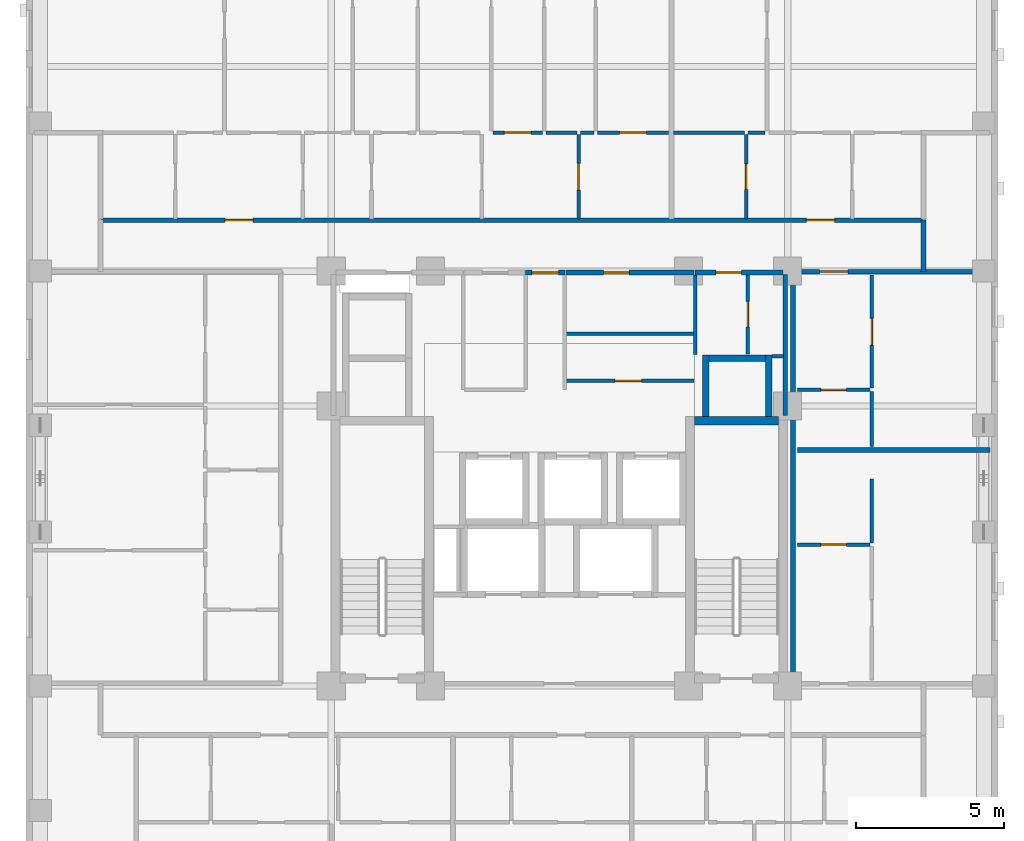
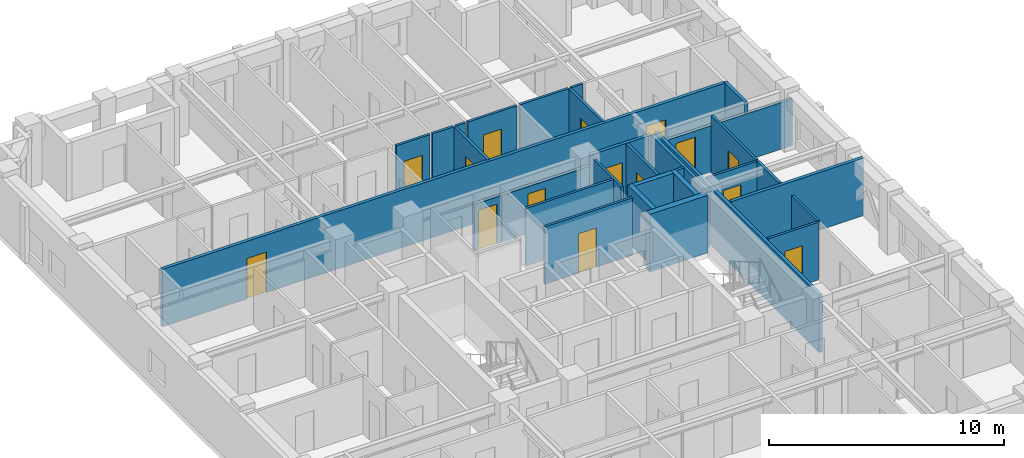
# One storey, part 6 of 11: 31 walls, 15 doors, 15 openings.
"""IFC4 building model written with IfcOpenShell, lengths in metres."""

from ifc_helpers import new_model, si_unit, derived_unit, direction, frame, frame_2d, origin, place, context, subcontext, project, spatial, rectangle, extrude, material, layer, layer_set, type_object, element, fill, save


model = new_model("IFC4")

# Units and contexts
model_context = context("Model", 3, precision=1e-05, world=origin(), true_north=direction((0.0, 1.0)))
body_context = subcontext(model_context, "Body", "Model", "MODEL_VIEW")
ifc_project = project(units=[si_unit("LENGTHUNIT", "METRE"), si_unit("AREAUNIT", "SQUARE_METRE"), si_unit("VOLUMEUNIT", "CUBIC_METRE"), si_unit("PLANEANGLEUNIT", "RADIAN"), si_unit("MASSUNIT", "GRAM", prefix="KILO"), derived_unit("THERMALTRANSMITTANCEUNIT", [(si_unit("MASSUNIT", "GRAM", prefix="KILO"), 1), (si_unit("TIMEUNIT", "SECOND"), -3), (si_unit("THERMODYNAMICTEMPERATUREUNIT", "KELVIN"), -1)])], contexts=[model_context])

# Site, building, storey
site_placement = place(None, origin())
site = spatial("IfcSite", under=ifc_project, at=site_placement, CompositionType="ELEMENT")
building_placement = place(site_placement, origin())
building = spatial("IfcBuilding", under=site, at=building_placement, Name="Korrvale Station Residences", CompositionType="ELEMENT")
storey_placement = place(building_placement, frame((0.0, 0.0, 134.14990234375)))
storey = spatial("IfcBuildingStorey", under=building, at=storey_placement, Name="L38", CompositionType="ELEMENT", Elevation=134.14990234375)

# Walls
ifc_material_1 = material(Name="Concrete C60/75", Category="concrete")
ifc_layer_1 = layer(ifc_material_1, 0.300048828125, Name="Concrete C60/75")
ifc_layer_set_1 = layer_set([ifc_layer_1], Name="Concrete C60/75")
wall_type_1 = type_object("IfcWallType", Name="WAL-CORE-300-C60", PredefinedType="SHEAR", material=ifc_layer_set_1)
wall_1_placement = place(storey_placement, frame((30.050048828125, 23.949951171875, 0.0), z_axis=(0.0, 0.0, 1.0), x_axis=(1.0, 0.0, 0.0)))
element("IfcWall", 1, at=wall_1_placement, inside=storey, type_object=wall_type_1, Name="L38 ST-2 Core Shear Wall North", PredefinedType="SHEAR", context=body_context, shape_type="SweptSolid", body=[
    extrude(rectangle(XDim=2.849853515625, YDim=0.300048828125, at=frame_2d((1.4248046875, 0.0))), origin(), (0.0, 0.0, 1.0), 2.989990234375),
])
ifc_material_2 = material(Name="Acoustic steel-stud gypsum board partition", Category="steel")
ifc_layer_2 = layer(ifc_material_2, 0.1201171875, Name="Acoustic steel-stud gypsum board partition")
ifc_layer_set_2 = layer_set([ifc_layer_2], Name="Acoustic steel-stud gypsum board partition")
wall_type_2 = type_object("IfcWallType", Name="WAL-PART-125", PredefinedType="PARTITIONING", material=ifc_layer_set_2)
wall_2_placement = place(storey_placement, frame((30.080078125, 26.179931640625, 0.0), z_axis=(0.0, 0.0, 1.0), x_axis=(0.0, 1.0, 0.0)))
element("IfcWall", 2, at=wall_2_placement, inside=storey, type_object=wall_type_2, Name="L38 Core Partition CW-CS-W", PredefinedType="PARTITIONING", context=body_context, shape_type="SweptSolid", body=[
    extrude(rectangle(XDim=2.68017578125, YDim=0.1201171875, at=frame_2d((1.340087890625, 0.0))), origin(), (0.0, 0.0, 1.0), 2.989990234375),
])
wall_3_placement = place(storey_placement, frame((32.679931640625, 26.1201171875, 0.0), z_axis=(0.0, 0.0, 1.0), x_axis=(1.0, 0.0, 0.0)))
element("IfcWall", 3, at=wall_3_placement, inside=storey, type_object=wall_type_2, Name="L38 Core Partition CW-CS-S", PredefinedType="PARTITIONING", context=body_context, shape_type="SweptSolid", body=[
    extrude(rectangle(XDim=0.380126953125, YDim=0.1201171875, at=frame_2d((0.18994140625, 0.0))), origin(), (0.0, 0.0, 1.0), 2.989990234375),
])

# Wall, opening, door
wall_4_placement = place(storey_placement, frame((31.860107421875, 26.199951171875, 0.0), z_axis=(0.0, 0.0, 1.0), x_axis=(0.0, 1.0, 0.0)))
wall_4 = element("IfcWall", 4, at=wall_4_placement, inside=storey, type_object=wall_type_2, Name="L38 Core Partition CW-CS-MID", PredefinedType="PARTITIONING", context=body_context, shape_type="SweptSolid", body=[
    extrude(rectangle(XDim=2.66015625, YDim=0.1201171875, at=frame_2d((1.330078125, 0.0))), origin(), (0.0, 0.0, 1.0), 2.989990234375),
])
opening_1_placement = place(wall_4_placement, frame((0.919921875, 0.0, 0.0)))
opening_1 = element("IfcOpeningElement", 5, at=opening_1_placement, cuts=wall_4, Name="Opening DB-860", PredefinedType="OPENING", context=body_context, shape_type="SweptSolid", body=[
    extrude(rectangle(XDim=0.860107421875, YDim=2.050048828125, at=frame_2d((0.43017578125, 1.02490234375))), frame((0.0, 0.070068359375, 0.0), z_axis=(0.0, -1.0, 0.0), x_axis=(1.0, 0.0, 0.0)), (0.0, 0.0, 1.0), 0.14013671875),
])
ifc_material_3 = material(Name="Moisture-resistant solid-core bathroom door", Category="timber")
door_type_1 = type_object("IfcDoorType", Name="DR-BATH-860", OperationType="NOTDEFINED", PredefinedType="DOOR", material=ifc_material_3)
door_1_placement = place(opening_1_placement, origin())
door_1 = element("IfcDoor", 6, at=door_1_placement, inside=storey, type_object=door_type_1, Name="L38 Metering Inner Door", OperationType="SINGLE_SWING_LEFT", OverallHeight=2.050048828125, OverallWidth=0.860107421875, PredefinedType="DOOR", context=body_context, shape_type="SweptSolid", body=[
    extrude(rectangle(XDim=0.860107421875, YDim=2.050048828125, at=frame_2d((0.43017578125, 1.02490234375))), frame((0.0, 0.02490234375, 0.0), z_axis=(0.0, -1.0, 0.0), x_axis=(1.0, 0.0, 0.0)), (0.0, 0.0, 1.0), 0.050048828125),
])
fill(opening_1, door_1)

# Wall
wall_5_placement = place(storey_placement, frame((25.719970703125, 26.8798828125, 0.0), z_axis=(0.0, 0.0, 1.0), x_axis=(1.0, 0.0, 0.0)))
element("IfcWall", 7, at=wall_5_placement, inside=storey, type_object=wall_type_2, Name="L38 Core Partition CW-FPLE-H", PredefinedType="PARTITIONING", context=body_context, shape_type="SweptSolid", body=[
    extrude(rectangle(XDim=4.320068359375, YDim=0.1201171875, at=frame_2d((2.16015625, 0.0))), origin(), (0.0, 0.0, 1.0), 2.989990234375),
])

# Wall, opening, door
wall_6_placement = place(storey_placement, frame((25.719970703125, 25.300048828125, 0.0), z_axis=(0.0, 0.0, 1.0), x_axis=(1.0, 0.0, 0.0)))
wall_6 = element("IfcWall", 8, at=wall_6_placement, inside=storey, type_object=wall_type_2, Name="L38 Core Partition CW-FPLE-S", PredefinedType="PARTITIONING", context=body_context, shape_type="SweptSolid", body=[
    extrude(rectangle(XDim=4.320068359375, YDim=0.1201171875, at=frame_2d((2.16015625, 0.0))), origin(), (0.0, 0.0, 1.0), 2.989990234375),
])
opening_2_placement = place(wall_6_placement, frame((1.64990234375, 0.0, 0.0)))
opening_2 = element("IfcOpeningElement", 9, at=opening_2_placement, cuts=wall_6, Name="Opening DI-900", PredefinedType="OPENING", context=body_context, shape_type="SweptSolid", body=[
    extrude(rectangle(XDim=0.89990234375, YDim=2.050048828125, at=frame_2d((0.449951171875, 1.02490234375))), frame((0.0, 0.070068359375, 0.0), z_axis=(0.0, -1.0, 0.0), x_axis=(1.0, 0.0, 0.0)), (0.0, 0.0, 1.0), 0.14013671875),
])
ifc_material_4 = material(Name="Painted solid-core timber interior room door", Category="wood")
door_type_2 = type_object("IfcDoorType", Name="DR-INT-900", OperationType="NOTDEFINED", PredefinedType="DOOR", material=ifc_material_4)
door_2_placement = place(opening_2_placement, origin())
door_2 = element("IfcDoor", 10, at=door_2_placement, inside=storey, type_object=door_type_2, Name="L38 Housekeeping Linen Door", OperationType="SINGLE_SWING_RIGHT", OverallHeight=2.050048828125, OverallWidth=0.89990234375, PredefinedType="DOOR", context=body_context, shape_type="SweptSolid", body=[
    extrude(rectangle(XDim=0.89990234375, YDim=2.050048828125, at=frame_2d((0.449951171875, 1.02490234375))), frame((0.0, 0.02490234375, 0.0), z_axis=(0.0, -1.0, 0.0), x_axis=(1.0, 0.0, 0.0)), (0.0, 0.0, 1.0), 0.050048828125),
])
fill(opening_2, door_2)

wall_7_placement = place(storey_placement, frame((26.14990234375, 30.760009765625, 0.0), z_axis=(0.0, 0.0, 1.0), x_axis=(0.0, 1.0, 0.0)))
wall_7 = element("IfcWall", 11, at=wall_7_placement, inside=storey, type_object=wall_type_2, Name="L38 Suite Partition U04-V45", PredefinedType="PARTITIONING", context=body_context, shape_type="SweptSolid", body=[
    extrude(rectangle(XDim=2.85009765625, YDim=0.1201171875, at=frame_2d((1.425048828125, 0.0))), origin(), (0.0, 0.0, 1.0), 2.989990234375),
])
opening_3_placement = place(wall_7_placement, frame((0.97509765625, 0.0, 0.0)))
opening_3 = element("IfcOpeningElement", 12, at=opening_3_placement, cuts=wall_7, Name="Opening DI-900", PredefinedType="OPENING", context=body_context, shape_type="SweptSolid", body=[
    extrude(rectangle(XDim=0.89990234375, YDim=2.050048828125, at=frame_2d((0.449951171875, 1.02490234375))), frame((0.0, 0.070068359375, 0.0), z_axis=(0.0, -1.0, 0.0), x_axis=(1.0, 0.0, 0.0)), (0.0, 0.0, 1.0), 0.14013671875),
])
door_3_placement = place(opening_3_placement, origin())
door_3 = element("IfcDoor", 13, at=door_3_placement, inside=storey, type_object=door_type_2, Name="L38 Apartment 2BR L38-U04 Storage Closet 2 Door", OperationType="SINGLE_SWING_LEFT", OverallHeight=2.050048828125, OverallWidth=0.89990234375, PredefinedType="DOOR", context=body_context, shape_type="SweptSolid", body=[
    extrude(rectangle(XDim=0.89990234375, YDim=2.050048828125, at=frame_2d((0.449951171875, 1.02490234375))), frame((0.0, 0.02490234375, 0.0), z_axis=(0.0, -1.0, 0.0), x_axis=(1.0, 0.0, 0.0)), (0.0, 0.0, 1.0), 0.050048828125),
])
fill(opening_3, door_3)

wall_8_placement = place(storey_placement, frame((23.260009765625, 33.669921875, 0.0), z_axis=(0.0, 0.0, 1.0), x_axis=(1.0, 0.0, 0.0)))
wall_8 = element("IfcWall", 14, at=wall_8_placement, inside=storey, type_object=wall_type_2, Name="L38 Suite Partition U04-H410", PredefinedType="PARTITIONING", context=body_context, shape_type="SweptSolid", body=[
    extrude(rectangle(XDim=1.6650390625, YDim=0.1201171875, at=frame_2d((0.83251953125, 0.0))), origin(), (0.0, 0.0, 1.0), 2.989990234375),
])
opening_4_placement = place(wall_8_placement, frame((0.382080078125, 0.0, 0.0)))
opening_4 = element("IfcOpeningElement", 15, at=opening_4_placement, cuts=wall_8, Name="Opening DI-900", PredefinedType="OPENING", context=body_context, shape_type="SweptSolid", body=[
    extrude(rectangle(XDim=0.89990234375, YDim=2.050048828125, at=frame_2d((0.449951171875, 1.02490234375))), frame((0.0, 0.070068359375, 0.0), z_axis=(0.0, -1.0, 0.0), x_axis=(1.0, 0.0, 0.0)), (0.0, 0.0, 1.0), 0.14013671875),
])
door_4_placement = place(opening_4_placement, origin())
door_4 = element("IfcDoor", 16, at=door_4_placement, inside=storey, type_object=door_type_2, Name="L38 Apartment 2BR L38-U04 Storage Closet 2 Door", OperationType="SINGLE_SWING_RIGHT", OverallHeight=2.050048828125, OverallWidth=0.89990234375, PredefinedType="DOOR", context=body_context, shape_type="SweptSolid", body=[
    extrude(rectangle(XDim=0.89990234375, YDim=2.050048828125, at=frame_2d((0.449951171875, 1.02490234375))), frame((0.0, 0.02490234375, 0.0), z_axis=(0.0, -1.0, 0.0), x_axis=(1.0, 0.0, 0.0)), (0.0, 0.0, 1.0), 0.050048828125),
])
fill(opening_4, door_4)

# Walls
wall_9_placement = place(storey_placement, frame((25.044921875, 33.669921875, 0.0), z_axis=(0.0, 0.0, 1.0), x_axis=(1.0, 0.0, 0.0)))
element("IfcWall", 17, at=wall_9_placement, inside=storey, type_object=wall_type_2, Name="L38 Suite Partition U04-H411", PredefinedType="PARTITIONING", context=body_context, shape_type="SweptSolid", body=[
    extrude(rectangle(XDim=1.045166015625, YDim=0.1201171875, at=frame_2d((0.5224609375, 0.0))), origin(), (0.0, 0.0, 1.0), 2.989990234375),
])
wall_10_placement = place(storey_placement, frame((26.2099609375, 33.669921875, 0.0), z_axis=(0.0, 0.0, 1.0), x_axis=(1.0, 0.0, 0.0)))
element("IfcWall", 18, at=wall_10_placement, inside=storey, type_object=wall_type_2, Name="L38 Suite Partition U04-H511", PredefinedType="PARTITIONING", context=body_context, shape_type="SweptSolid", body=[
    extrude(rectangle(XDim=0.455078125, YDim=0.1201171875, at=frame_2d((0.2275390625, 0.0))), origin(), (0.0, 0.0, 1.0), 2.989990234375),
])

# Wall, opening, door
wall_11_placement = place(storey_placement, frame((26.784912109375, 33.669921875, 0.0), z_axis=(0.0, 0.0, 1.0), x_axis=(1.0, 0.0, 0.0)))
wall_11 = element("IfcWall", 19, at=wall_11_placement, inside=storey, type_object=wall_type_2, Name="L38 Suite Partition U04-H512", PredefinedType="PARTITIONING", context=body_context, shape_type="SweptSolid", body=[
    extrude(rectangle(XDim=2.398193359375, YDim=0.1201171875, at=frame_2d((1.19921875, 0.0))), origin(), (0.0, 0.0, 1.0), 2.989990234375),
])
opening_5_placement = place(wall_11_placement, frame((0.7490234375, 0.0, 0.0)))
opening_5 = element("IfcOpeningElement", 20, at=opening_5_placement, cuts=wall_11, Name="Opening DI-900", PredefinedType="OPENING", context=body_context, shape_type="SweptSolid", body=[
    extrude(rectangle(XDim=0.89990234375, YDim=2.050048828125, at=frame_2d((0.449951171875, 1.02490234375))), frame((0.0, 0.070068359375, 0.0), z_axis=(0.0, -1.0, 0.0), x_axis=(1.0, 0.0, 0.0)), (0.0, 0.0, 1.0), 0.14013671875),
])
door_5_placement = place(opening_5_placement, origin())
door_5 = element("IfcDoor", 21, at=door_5_placement, inside=storey, type_object=door_type_2, Name="L38 Apartment 2BR L38-U04 Storage Closet 3 Door", OperationType="SINGLE_SWING_LEFT", OverallHeight=2.050048828125, OverallWidth=0.89990234375, PredefinedType="DOOR", context=body_context, shape_type="SweptSolid", body=[
    extrude(rectangle(XDim=0.89990234375, YDim=2.050048828125, at=frame_2d((0.449951171875, 1.02490234375))), frame((0.0, 0.02490234375, 0.0), z_axis=(0.0, -1.0, 0.0), x_axis=(1.0, 0.0, 0.0)), (0.0, 0.0, 1.0), 0.050048828125),
])
fill(opening_5, door_5)

wall_12_placement = place(storey_placement, frame((31.802978515625, 30.760009765625, 0.0), z_axis=(0.0, 0.0, 1.0), x_axis=(0.0, 1.0, 0.0)))
wall_12 = element("IfcWall", 22, at=wall_12_placement, inside=storey, type_object=wall_type_2, Name="L38 Suite Partition U05-V01", PredefinedType="PARTITIONING", context=body_context, shape_type="SweptSolid", body=[
    extrude(rectangle(XDim=2.85009765625, YDim=0.1201171875, at=frame_2d((1.425048828125, 0.0))), origin(), (0.0, 0.0, 1.0), 2.989990234375),
])
opening_6_placement = place(wall_12_placement, frame((0.9951171875, 0.0, 0.0)))
opening_6 = element("IfcOpeningElement", 23, at=opening_6_placement, cuts=wall_12, Name="Opening DB-860", PredefinedType="OPENING", context=body_context, shape_type="SweptSolid", body=[
    extrude(rectangle(XDim=0.860107421875, YDim=2.050048828125, at=frame_2d((0.43017578125, 1.02490234375))), frame((0.0, 0.070068359375, 0.0), z_axis=(0.0, -1.0, 0.0), x_axis=(1.0, 0.0, 0.0)), (0.0, 0.0, 1.0), 0.14013671875),
])
door_6_placement = place(opening_6_placement, origin())
door_6 = element("IfcDoor", 24, at=door_6_placement, inside=storey, type_object=door_type_1, Name="L38 Studio Apartment L38-U05 Bathroom Door", OperationType="SINGLE_SWING_RIGHT", OverallHeight=2.050048828125, OverallWidth=0.860107421875, PredefinedType="DOOR", context=body_context, shape_type="SweptSolid", body=[
    extrude(rectangle(XDim=0.860107421875, YDim=2.050048828125, at=frame_2d((0.43017578125, 1.02490234375))), frame((0.0, 0.02490234375, 0.0), z_axis=(0.0, -1.0, 0.0), x_axis=(1.0, 0.0, 0.0)), (0.0, 0.0, 1.0), 0.050048828125),
])
fill(opening_6, door_6)

# Walls
wall_13_placement = place(storey_placement, frame((29.343017578125, 33.669921875, 0.0), z_axis=(0.0, 0.0, 1.0), x_axis=(1.0, 0.0, 0.0)))
element("IfcWall", 25, at=wall_13_placement, inside=storey, type_object=wall_type_2, Name="L38 Suite Partition U05-H03", PredefinedType="PARTITIONING", context=body_context, shape_type="SweptSolid", body=[
    extrude(rectangle(XDim=2.39990234375, YDim=0.1201171875, at=frame_2d((1.199951171875, 0.0))), origin(), (0.0, 0.0, 1.0), 2.989990234375),
])
wall_14_placement = place(storey_placement, frame((31.863037109375, 33.669921875, 0.0), z_axis=(0.0, 0.0, 1.0), x_axis=(1.0, 0.0, 0.0)))
element("IfcWall", 26, at=wall_14_placement, inside=storey, type_object=wall_type_2, Name="L38 Suite Partition U05-H13", PredefinedType="PARTITIONING", context=body_context, shape_type="SweptSolid", body=[
    extrude(rectangle(XDim=0.580078125, YDim=0.1201171875, at=frame_2d((0.2900390625, 0.0))), origin(), (0.0, 0.0, 1.0), 2.989990234375),
])

# Wall, opening, door
wall_15_placement = place(storey_placement, frame((33.530029296875, 19.77001953125, 0.0), z_axis=(0.0, 0.0, 1.0), x_axis=(1.0, 0.0, 0.0)))
wall_15 = element("IfcWall", 27, at=wall_15_placement, inside=storey, type_object=wall_type_2, Name="L38 Suite Partition U07-H01", PredefinedType="PARTITIONING", context=body_context, shape_type="SweptSolid", body=[
    extrude(rectangle(XDim=2.449951171875, YDim=0.1201171875, at=frame_2d((1.22509765625, 0.0))), origin(), (0.0, 0.0, 1.0), 2.989990234375),
])
opening_7_placement = place(wall_15_placement, frame((0.794921875, 0.0, 0.0)))
opening_7 = element("IfcOpeningElement", 28, at=opening_7_placement, cuts=wall_15, Name="Opening DB-860", PredefinedType="OPENING", context=body_context, shape_type="SweptSolid", body=[
    extrude(rectangle(XDim=0.860107421875, YDim=2.050048828125, at=frame_2d((0.43017578125, 1.02490234375))), frame((0.0, 0.070068359375, 0.0), z_axis=(0.0, -1.0, 0.0), x_axis=(1.0, 0.0, 0.0)), (0.0, 0.0, 1.0), 0.14013671875),
])
door_7_placement = place(opening_7_placement, origin())
door_7 = element("IfcDoor", 29, at=door_7_placement, inside=storey, type_object=door_type_1, Name="L38 Apartment 1BR L38-U07 Bathroom Door", OperationType="SINGLE_SWING_RIGHT", OverallHeight=2.050048828125, OverallWidth=0.860107421875, PredefinedType="DOOR", context=body_context, shape_type="SweptSolid", body=[
    extrude(rectangle(XDim=0.860107421875, YDim=2.050048828125, at=frame_2d((0.43017578125, 1.02490234375))), frame((0.0, 0.02490234375, 0.0), z_axis=(0.0, -1.0, 0.0), x_axis=(1.0, 0.0, 0.0)), (0.0, 0.0, 1.0), 0.050048828125),
])
fill(opening_7, door_7)

# Wall
wall_16_placement = place(storey_placement, frame((36.0400390625, 19.830078125, 0.0), z_axis=(0.0, 0.0, 1.0), x_axis=(0.0, 1.0, 0.0)))
element("IfcWall", 30, at=wall_16_placement, inside=storey, type_object=wall_type_2, Name="L38 Suite Partition U07-V02", PredefinedType="PARTITIONING", context=body_context, shape_type="SweptSolid", body=[
    extrude(rectangle(XDim=2.158935546875, YDim=0.1201171875, at=frame_2d((1.07958984375, 0.0))), origin(), (0.0, 0.0, 1.0), 2.989990234375),
])

# Wall, opening, door
wall_17_placement = place(storey_placement, frame((33.530029296875, 24.991943359375, 0.0), z_axis=(0.0, 0.0, 1.0), x_axis=(1.0, 0.0, 0.0)))
wall_17 = element("IfcWall", 31, at=wall_17_placement, inside=storey, type_object=wall_type_2, Name="L38 Suite Partition U08-H01", PredefinedType="PARTITIONING", context=body_context, shape_type="SweptSolid", body=[
    extrude(rectangle(XDim=2.449951171875, YDim=0.1201171875, at=frame_2d((1.22509765625, 0.0))), origin(), (0.0, 0.0, 1.0), 2.989990234375),
])
opening_8_placement = place(wall_17_placement, frame((0.794921875, 0.0, 0.0)))
opening_8 = element("IfcOpeningElement", 32, at=opening_8_placement, cuts=wall_17, Name="Opening DB-860", PredefinedType="OPENING", context=body_context, shape_type="SweptSolid", body=[
    extrude(rectangle(XDim=0.860107421875, YDim=2.050048828125, at=frame_2d((0.43017578125, 1.02490234375))), frame((0.0, 0.070068359375, 0.0), z_axis=(0.0, -1.0, 0.0), x_axis=(1.0, 0.0, 0.0)), (0.0, 0.0, 1.0), 0.14013671875),
])
door_8_placement = place(opening_8_placement, origin())
door_8 = element("IfcDoor", 33, at=door_8_placement, inside=storey, type_object=door_type_1, Name="L38 Apartment 1BR L38-U08 Bathroom Door", OperationType="SINGLE_SWING_LEFT", OverallHeight=2.050048828125, OverallWidth=0.860107421875, PredefinedType="DOOR", context=body_context, shape_type="SweptSolid", body=[
    extrude(rectangle(XDim=0.860107421875, YDim=2.050048828125, at=frame_2d((0.43017578125, 1.02490234375))), frame((0.0, 0.02490234375, 0.0), z_axis=(0.0, -1.0, 0.0), x_axis=(1.0, 0.0, 0.0)), (0.0, 0.0, 1.0), 0.050048828125),
])
fill(opening_8, door_8)

# Wall
wall_18_placement = place(storey_placement, frame((36.0400390625, 23.08203125, 0.0), z_axis=(0.0, 0.0, 1.0), x_axis=(0.0, 1.0, 0.0)))
element("IfcWall", 34, at=wall_18_placement, inside=storey, type_object=wall_type_2, Name="L38 Suite Partition U08-V02", PredefinedType="PARTITIONING", context=body_context, shape_type="SweptSolid", body=[
    extrude(rectangle(XDim=1.849853515625, YDim=0.1201171875, at=frame_2d((0.9248046875, 0.0))), origin(), (0.0, 0.0, 1.0), 2.989990234375),
])

# Wall, opening, door
wall_19_placement = place(storey_placement, frame((36.0400390625, 25.052001953125, 0.0), z_axis=(0.0, 0.0, 1.0), x_axis=(0.0, 1.0, 0.0)))
wall_19 = element("IfcWall", 35, at=wall_19_placement, inside=storey, type_object=wall_type_2, Name="L38 Suite Partition U08-V12", PredefinedType="PARTITIONING", context=body_context, shape_type="SweptSolid", body=[
    extrude(rectangle(XDim=3.80810546875, YDim=0.1201171875, at=frame_2d((1.904052734375, 0.0))), origin(), (0.0, 0.0, 1.0), 2.989990234375),
])
opening_9_placement = place(wall_19_placement, frame((1.4541015625, 0.0, 0.0)))
opening_9 = element("IfcOpeningElement", 36, at=opening_9_placement, cuts=wall_19, Name="Opening DI-900", PredefinedType="OPENING", context=body_context, shape_type="SweptSolid", body=[
    extrude(rectangle(XDim=0.89990234375, YDim=2.050048828125, at=frame_2d((0.449951171875, 1.02490234375))), frame((0.0, 0.070068359375, 0.0), z_axis=(0.0, -1.0, 0.0), x_axis=(1.0, 0.0, 0.0)), (0.0, 0.0, 1.0), 0.14013671875),
])
door_9_placement = place(opening_9_placement, origin())
door_9 = element("IfcDoor", 37, at=door_9_placement, inside=storey, type_object=door_type_2, Name="L38 Apartment 1BR L38-U08 Kitchen Door", OperationType="SINGLE_SWING_RIGHT", OverallHeight=2.050048828125, OverallWidth=0.89990234375, PredefinedType="DOOR", context=body_context, shape_type="SweptSolid", body=[
    extrude(rectangle(XDim=0.89990234375, YDim=2.050048828125, at=frame_2d((0.449951171875, 1.02490234375))), frame((0.0, 0.02490234375, 0.0), z_axis=(0.0, -1.0, 0.0), x_axis=(1.0, 0.0, 0.0)), (0.0, 0.0, 1.0), 0.050048828125),
])
fill(opening_9, door_9)

# Wall
ifc_material_5 = material(Name="Fire-rated twin-stud gypsum and mineral wool shaftwall assembly", Category="gypsum")
ifc_layer_3 = layer(ifc_material_5, 0.159912109375, Name="Fire-rated twin-stud gypsum and mineral wool shaftwall assembly")
ifc_layer_set_3 = layer_set([ifc_layer_3], Name="Fire-rated twin-stud gypsum and mineral wool shaftwall assembly")
wall_type_3 = type_object("IfcWallType", Name="WAL-PART-200", PredefinedType="PARTITIONING", material=ifc_layer_set_3)
wall_20_placement = place(storey_placement, frame((33.1201171875, 24.1201171875, 0.0), z_axis=(0.0, 0.0, 1.0), x_axis=(0.0, 1.0, 0.0)))
element("IfcWall", 38, at=wall_20_placement, inside=storey, type_object=wall_type_3, Name="L38 Core Partition CW-E-N", PredefinedType="PARTITIONING", context=body_context, shape_type="SweptSolid", body=[
    extrude(rectangle(XDim=4.759765625, YDim=0.159912109375, at=frame_2d((2.3798828125, 0.0))), origin(), (0.0, 0.0, 1.0), 2.989990234375),
])

# Wall, opening, door
wall_21_placement = place(storey_placement, frame((24.360107421875, 28.949951171875, 0.0), z_axis=(0.0, 0.0, 1.0), x_axis=(1.0, 0.0, 0.0)))
wall_21 = element("IfcWall", 39, at=wall_21_placement, inside=storey, type_object=wall_type_3, Name="L38 Core Partition CW-LLOB-N", PredefinedType="PARTITIONING", context=body_context, shape_type="SweptSolid", body=[
    extrude(rectangle(XDim=1.31982421875, YDim=0.159912109375, at=frame_2d((0.659912109375, 0.0))), origin(), (0.0, 0.0, 1.0), 2.426025390625),
])
opening_10_placement = place(wall_21_placement, frame((0.2099609375, 0.0, 0.0)))
opening_10 = element("IfcOpeningElement", 40, at=opening_10_placement, cuts=wall_21, Name="Opening DI-900", PredefinedType="OPENING", context=body_context, shape_type="SweptSolid", body=[
    extrude(rectangle(XDim=0.89990234375, YDim=2.050048828125, at=frame_2d((0.449951171875, 1.02490234375))), frame((0.0, 0.08984375, 0.0), z_axis=(0.0, -1.0, 0.0), x_axis=(1.0, 0.0, 0.0)), (0.0, 0.0, 1.0), 0.179931640625),
])
door_10_placement = place(opening_10_placement, origin())
door_10 = element("IfcDoor", 41, at=door_10_placement, inside=storey, type_object=door_type_2, Name="L38 Central Hallway North Passage Door", OperationType="SINGLE_SWING_LEFT", OverallHeight=2.050048828125, OverallWidth=0.89990234375, PredefinedType="DOOR", context=body_context, shape_type="SweptSolid", body=[
    extrude(rectangle(XDim=0.89990234375, YDim=2.050048828125, at=frame_2d((0.449951171875, 1.02490234375))), frame((0.0, 0.02490234375, 0.0), z_axis=(0.0, -1.0, 0.0), x_axis=(1.0, 0.0, 0.0)), (0.0, 0.0, 1.0), 0.050048828125),
])
fill(opening_10, door_10)

wall_22_placement = place(storey_placement, frame((30.080078125, 28.949951171875, 0.0), z_axis=(0.0, 0.0, 1.0), x_axis=(1.0, 0.0, 0.0)))
wall_22 = element("IfcWall", 42, at=wall_22_placement, inside=storey, type_object=wall_type_3, Name="L38 Core Partition CW-CS-N", PredefinedType="PARTITIONING", context=body_context, shape_type="SweptSolid", body=[
    extrude(rectangle(XDim=2.9599609375, YDim=0.159912109375, at=frame_2d((1.47998046875, 0.0))), origin(), (0.0, 0.0, 1.0), 2.989990234375),
])
opening_11_placement = place(wall_22_placement, frame((0.695068359375, 0.0, 0.0)))
opening_11 = element("IfcOpeningElement", 43, at=opening_11_placement, cuts=wall_22, Name="Opening DB-860", PredefinedType="OPENING", context=body_context, shape_type="SweptSolid", body=[
    extrude(rectangle(XDim=0.860107421875, YDim=2.050048828125, at=frame_2d((0.43017578125, 1.02490234375))), frame((0.0, 0.08984375, 0.0), z_axis=(0.0, -1.0, 0.0), x_axis=(1.0, 0.0, 0.0)), (0.0, 0.0, 1.0), 0.179931640625),
])
door_11_placement = place(opening_11_placement, origin())
door_11 = element("IfcDoor", 44, at=door_11_placement, inside=storey, type_object=door_type_1, Name="L38 Housekeeping Supply Door", OperationType="SINGLE_SWING_RIGHT", OverallHeight=2.050048828125, OverallWidth=0.860107421875, PredefinedType="DOOR", context=body_context, shape_type="SweptSolid", body=[
    extrude(rectangle(XDim=0.860107421875, YDim=2.050048828125, at=frame_2d((0.43017578125, 1.02490234375))), frame((0.0, 0.02490234375, 0.0), z_axis=(0.0, -1.0, 0.0), x_axis=(1.0, 0.0, 0.0)), (0.0, 0.0, 1.0), 0.050048828125),
])
fill(opening_11, door_11)

wall_23_placement = place(storey_placement, frame((25.719970703125, 28.949951171875, 0.0), z_axis=(0.0, 0.0, 1.0), x_axis=(1.0, 0.0, 0.0)))
wall_23 = element("IfcWall", 45, at=wall_23_placement, inside=storey, type_object=wall_type_3, Name="L38 Core Partition CW-FPLE-N", PredefinedType="PARTITIONING", context=body_context, shape_type="SweptSolid", body=[
    extrude(rectangle(XDim=4.320068359375, YDim=0.159912109375, at=frame_2d((2.16015625, 0.0))), origin(), (0.0, 0.0, 1.0), 2.426025390625),
])
opening_12_placement = place(wall_23_placement, frame((1.27001953125, 0.0, 0.0)))
opening_12 = element("IfcOpeningElement", 46, at=opening_12_placement, cuts=wall_23, Name="Opening DB-860", PredefinedType="OPENING", context=body_context, shape_type="SweptSolid", body=[
    extrude(rectangle(XDim=0.860107421875, YDim=2.050048828125, at=frame_2d((0.43017578125, 1.02490234375))), frame((0.0, 0.08984375, 0.0), z_axis=(0.0, -1.0, 0.0), x_axis=(1.0, 0.0, 0.0)), (0.0, 0.0, 1.0), 0.179931640625),
])
door_12_placement = place(opening_12_placement, origin())
door_12 = element("IfcDoor", 47, at=door_12_placement, inside=storey, type_object=door_type_1, Name="L38 Luggage Store Door", OperationType="SINGLE_SWING_LEFT", OverallHeight=2.050048828125, OverallWidth=0.860107421875, PredefinedType="DOOR", context=body_context, shape_type="SweptSolid", body=[
    extrude(rectangle(XDim=0.860107421875, YDim=2.050048828125, at=frame_2d((0.43017578125, 1.02490234375))), frame((0.0, 0.02490234375, 0.0), z_axis=(0.0, -1.0, 0.0), x_axis=(1.0, 0.0, 0.0)), (0.0, 0.0, 1.0), 0.050048828125),
])
fill(opening_12, door_12)

# Walls
wall_24_placement = place(storey_placement, frame((37.780029296875, 28.97998046875, 0.0), z_axis=(0.0, 0.0, 1.0), x_axis=(0.0, 1.0, 0.0)))
element("IfcWall", 48, at=wall_24_placement, inside=storey, type_object=wall_type_3, Name="L38 Corridor North East Cap", PredefinedType="PARTITIONING", context=body_context, shape_type="SweptSolid", body=[
    extrude(rectangle(XDim=1.739990234375, YDim=0.159912109375, at=frame_2d((0.8701171875, 0.0))), origin(), (0.0, 0.0, 1.0), 2.989990234375),
])
wall_25_placement = place(storey_placement, frame((33.530029296875, 22.9619140625, 0.0), z_axis=(0.0, 0.0, 1.0), x_axis=(1.0, 0.0, 0.0)))
element("IfcWall", 49, at=wall_25_placement, inside=storey, type_object=wall_type_3, Name="L38 Demising Wall U07-N", PredefinedType="PARTITIONING", context=body_context, shape_type="SweptSolid", body=[
    extrude(rectangle(XDim=6.489990234375, YDim=0.159912109375, at=frame_2d((3.2451171875, 0.0))), origin(), (0.0, 0.0, 1.0), 2.989990234375),
])

# Wall, opening, door
wall_26_placement = place(storey_placement, frame((33.3798828125, 28.97998046875, 0.0), z_axis=(0.0, 0.0, 1.0), x_axis=(1.0, 0.0, 0.0)))
wall_26 = element("IfcWall", 50, at=wall_26_placement, inside=storey, type_object=wall_type_3, Name="L38 Side Suite North Entry Wall U08", PredefinedType="PARTITIONING", context=body_context, shape_type="SweptSolid", body=[
    extrude(rectangle(XDim=6.64013671875, YDim=0.159912109375, at=frame_2d((3.320068359375, 0.0))), origin(), (0.0, 0.0, 1.0), 2.426025390625),
])
opening_13_placement = place(wall_26_placement, frame((0.89990234375, 0.0, 0.0)))
opening_13 = element("IfcOpeningElement", 51, at=opening_13_placement, cuts=wall_26, Name="Opening UD-950", PredefinedType="OPENING", context=body_context, shape_type="SweptSolid", body=[
    extrude(rectangle(XDim=0.949951171875, YDim=2.10009765625, at=frame_2d((0.47509765625, 1.050048828125))), frame((0.0, 0.08984375, 0.0), z_axis=(0.0, -1.0, 0.0), x_axis=(1.0, 0.0, 0.0)), (0.0, 0.0, 1.0), 0.179931640625),
])
ifc_material_6 = material(Name="Solid-core acoustic oak apartment entrance door", Category="timber")
door_type_3 = type_object("IfcDoorType", Name="DR-UNIT-950", OperationType="NOTDEFINED", PredefinedType="DOOR", material=ifc_material_6)
door_13_placement = place(opening_13_placement, origin())
door_13 = element("IfcDoor", 52, at=door_13_placement, inside=storey, type_object=door_type_3, Name="L38 Apartment L38-U08 Entrance Door", OperationType="SINGLE_SWING_RIGHT", OverallHeight=2.10009765625, OverallWidth=0.949951171875, PredefinedType="DOOR", context=body_context, shape_type="SweptSolid", body=[
    extrude(rectangle(XDim=0.949951171875, YDim=2.10009765625, at=frame_2d((0.47509765625, 1.050048828125))), frame((0.0, 0.02490234375, 0.0), z_axis=(0.0, -1.0, 0.0), x_axis=(1.0, 0.0, 0.0)), (0.0, 0.0, 1.0), 0.050048828125),
])
fill(opening_13, door_13)

# Wall, openings, doors
wall_27_placement = place(storey_placement, frame((10.050048828125, 30.719970703125, 0.0), z_axis=(0.0, 0.0, 1.0), x_axis=(1.0, 0.0, 0.0)))
wall_27 = element("IfcWall", 53, at=wall_27_placement, inside=storey, type_object=wall_type_3, Name="L38 Rated Corridor Wall N", PredefinedType="PARTITIONING", context=body_context, shape_type="SweptSolid", body=[
    extrude(rectangle(XDim=27.699951171875, YDim=0.159912109375, at=frame_2d((13.85009765625, 0.0))), origin(), (0.0, 0.0, 1.0), 2.989990234375),
])
opening_14_placement = place(wall_27_placement, frame((4.1650390625, 0.0, 0.0)))
opening_14 = element("IfcOpeningElement", 54, at=opening_14_placement, cuts=wall_27, Name="Opening UD-950", PredefinedType="OPENING", context=body_context, shape_type="SweptSolid", body=[
    extrude(rectangle(XDim=0.949951171875, YDim=2.10009765625, at=frame_2d((0.47509765625, 1.050048828125))), frame((0.0, 0.08984375, 0.0), z_axis=(0.0, -1.0, 0.0), x_axis=(1.0, 0.0, 0.0)), (0.0, 0.0, 1.0), 0.179931640625),
])
opening_15_placement = place(wall_27_placement, frame((23.784912109375, 0.0, 0.0)))
opening_15 = element("IfcOpeningElement", 55, at=opening_15_placement, cuts=wall_27, Name="Opening UD-950", PredefinedType="OPENING", context=body_context, shape_type="SweptSolid", body=[
    extrude(rectangle(XDim=0.949951171875, YDim=2.10009765625, at=frame_2d((0.47509765625, 1.050048828125))), frame((0.0, 0.08984375, 0.0), z_axis=(0.0, -1.0, 0.0), x_axis=(1.0, 0.0, 0.0)), (0.0, 0.0, 1.0), 0.179931640625),
])
door_14_placement = place(opening_14_placement, origin())
door_14 = element("IfcDoor", 56, at=door_14_placement, inside=storey, type_object=door_type_3, Name="L38 Apartment L38-U04 Entrance Door", OperationType="SINGLE_SWING_RIGHT", OverallHeight=2.10009765625, OverallWidth=0.949951171875, PredefinedType="DOOR", context=body_context, shape_type="SweptSolid", body=[
    extrude(rectangle(XDim=0.949951171875, YDim=2.10009765625, at=frame_2d((0.47509765625, 1.050048828125))), frame((0.0, 0.02490234375, 0.0), z_axis=(0.0, -1.0, 0.0), x_axis=(1.0, 0.0, 0.0)), (0.0, 0.0, 1.0), 0.050048828125),
])
fill(opening_14, door_14)
door_15_placement = place(opening_15_placement, origin())
door_15 = element("IfcDoor", 57, at=door_15_placement, inside=storey, type_object=door_type_3, Name="L38 Apartment L38-U05 Entrance Door", OperationType="SINGLE_SWING_LEFT", OverallHeight=2.10009765625, OverallWidth=0.949951171875, PredefinedType="DOOR", context=body_context, shape_type="SweptSolid", body=[
    extrude(rectangle(XDim=0.949951171875, YDim=2.10009765625, at=frame_2d((0.47509765625, 1.050048828125))), frame((0.0, 0.02490234375, 0.0), z_axis=(0.0, -1.0, 0.0), x_axis=(1.0, 0.0, 0.0)), (0.0, 0.0, 1.0), 0.050048828125),
])
fill(opening_15, door_15)

# Walls
wall_28_placement = place(storey_placement, frame((33.3798828125, 15.02001953125, 0.0), z_axis=(0.0, 0.0, 1.0), x_axis=(0.0, 1.0, 0.0)))
element("IfcWall", 58, at=wall_28_placement, inside=storey, type_object=wall_type_3, Name="L38 Rated Corridor Wall E", PredefinedType="PARTITIONING", context=body_context, shape_type="SweptSolid", body=[
    extrude(rectangle(XDim=13.97998046875, YDim=0.159912109375, at=frame_2d((6.989990234375, 0.0))), origin(), (0.0, 0.0, 1.0), 2.989990234375),
])
ifc_layer_4 = layer(ifc_material_1, 0.219970703125, Name="Concrete C60/75")
ifc_layer_set_4 = layer_set([ifc_layer_4], Name="Concrete C60/75")
wall_type_4 = type_object("IfcWallType", Name="WAL-SHAFT-220-C60", PredefinedType="SHEAR", material=ifc_layer_set_4)
wall_29_placement = place(storey_placement, frame((30.550048828125, 26.06005859375, 0.0), z_axis=(0.0, 0.0, 1.0), x_axis=(1.0, 0.0, 0.0)))
element("IfcWall", 59, at=wall_29_placement, inside=storey, type_object=wall_type_4, Name="L38 Elevator PH-3 Hoistway Wall North", PredefinedType="SHEAR", context=body_context, shape_type="SweptSolid", body=[
    extrude(rectangle(XDim=1.89990234375, YDim=0.219970703125, at=frame_2d((0.949951171875, 0.0))), origin(), (0.0, 0.0, 1.0), 2.989990234375),
])
for number, where, z_axis, x_axis, name in (
    (60, (30.43994140625, 24.10009765625, 0.0), (0.0, 0.0, 1.0), (0.0, 1.0, 0.0), "L38 Elevator PH-3 Hoistway Wall West"),
    (61, (32.56005859375, 24.10009765625, 0.0), (0.0, 0.0, 1.0), (0.0, 1.0, 0.0), "L38 Elevator PH-3 Hoistway Wall East"),
):
    element("IfcWall", number, at=place(storey_placement, frame(where, z_axis=z_axis, x_axis=x_axis)), inside=storey, type_object=wall_type_4, Name=name, PredefinedType="SHEAR", context=body_context, shape_type="SweptSolid", body=[
        extrude(rectangle(XDim=2.06982421875, YDim=0.219970703125, at=frame_2d((1.034912109375, 0.0))), origin(), (0.0, 0.0, 1.0), 2.989990234375),
    ])

save(model, "model.ifc")
